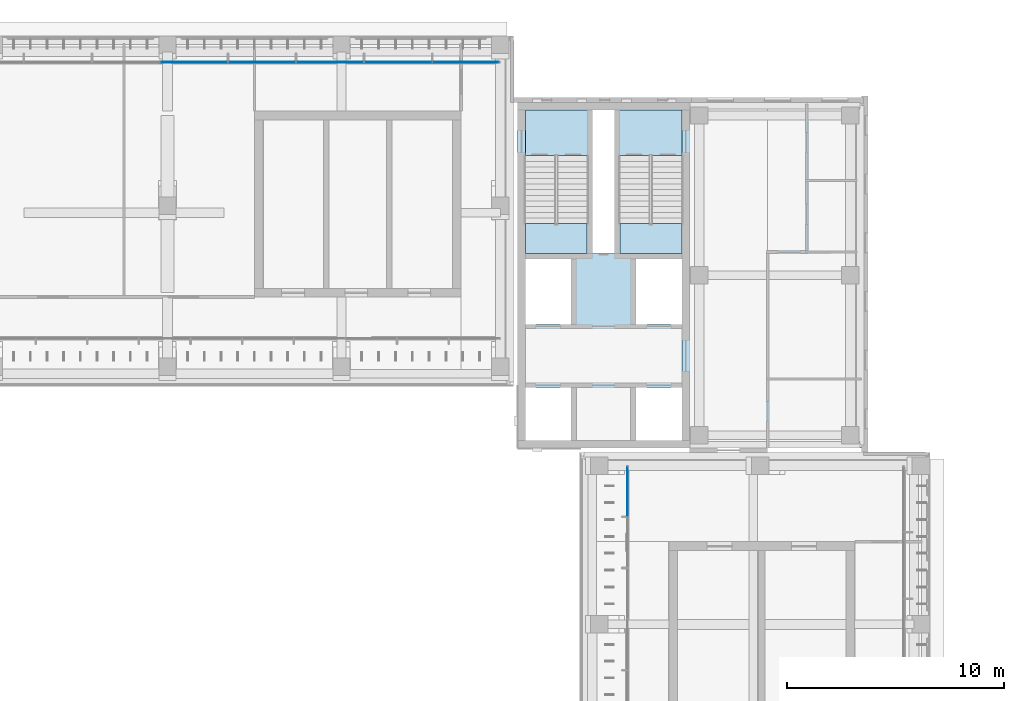
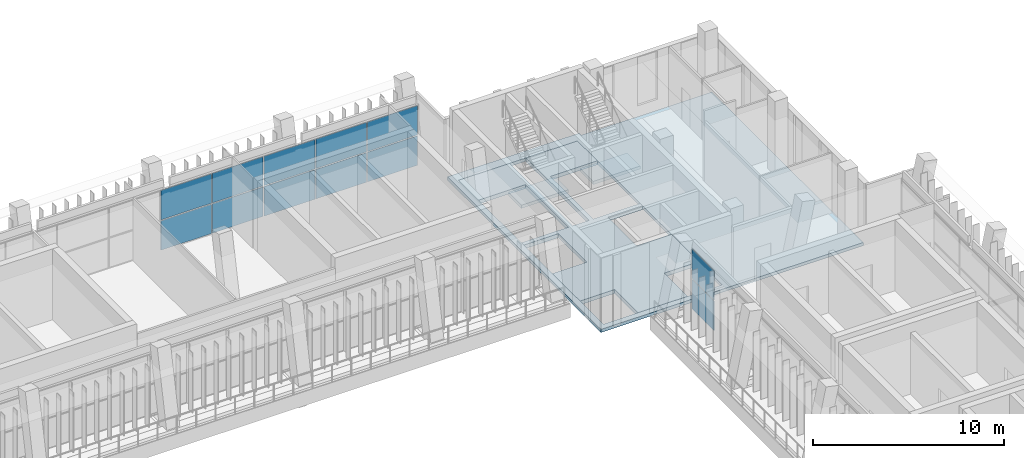
# One storey, part 54 of 89: 12 plates, 4 slabs, 4 elements without a shape of their own.
"""IFC4 building model written with IfcOpenShell, lengths in metres."""

from ifc_helpers import new_model, si_unit, direction, frame, origin, origin_2d, place, context, subcontext, project, spatial, polyline, rectangle, outline, extrude, material, layer, layer_set, type_object, element, aggregate, save


model = new_model("IFC4")

# Units and contexts
model_context = context("Model", 3, precision=1e-05, world=origin(), true_north=direction((0.0, 1.0)))
body_context = subcontext(model_context, "Body", "Model", "MODEL_VIEW")
ifc_project = project(units=[si_unit("LENGTHUNIT", "METRE"), si_unit("AREAUNIT", "SQUARE_METRE"), si_unit("VOLUMEUNIT", "CUBIC_METRE"), si_unit("PLANEANGLEUNIT", "RADIAN"), si_unit("MASSUNIT", "GRAM", prefix="KILO")], contexts=[model_context])

# Site, building, storey
site_placement = place(None, origin())
site = spatial("IfcSite", under=ifc_project, at=site_placement, CompositionType="ELEMENT")
building_placement = place(site_placement, origin())
building = spatial("IfcBuilding", under=site, at=building_placement, Name="Lantern Court Media Centre", CompositionType="ELEMENT")
storey_placement = place(building_placement, frame((0.0, 0.0, 14.39990234375)))
storey = spatial("IfcBuildingStorey", under=building, at=storey_placement, Name="L03", CompositionType="ELEMENT", Elevation=14.39990234375)

# Slab
ifc_material_1 = material(Name="Concrete C40", Category="concrete")
ifc_layer_1 = layer(ifc_material_1, 0.25)
ifc_layer_set_1 = layer_set([ifc_layer_1], Name="Concrete C40")
slab_type_1 = type_object("IfcSlabType", Name="Core floor slab 250", PredefinedType="FLOOR", material=ifc_layer_set_1)
slab_1_placement = place(storey_placement, frame((0.0, 0.0, -0.25)))
element("IfcSlab", 1, at=slab_1_placement, inside=storey, type_object=slab_type_1, Name="L03 NE core floor", PredefinedType="FLOOR", context=body_context, shape_type="SweptSolid", body=[
    extrude(outline(polyline([(87.64990234375, 101.800048828125), (87.64990234375, 98.89990234375), (85.550048828125, 98.89990234375), (85.550048828125, 96.449951171875), (82.550048828125, 96.449951171875), (82.550048828125, 98.89990234375), (80.449951171875, 98.89990234375), (80.449951171875, 101.800048828125), (82.550048828125, 101.800048828125), (82.550048828125, 104.800048828125), (80.449951171875, 104.800048828125), (80.449951171875, 105.05029296875), (83.299560546875, 105.05029296875), (83.299560546875, 109.549560546875), (80.449951171875, 109.549560546875), (80.449951171875, 111.64990234375), (83.550048828125, 111.64990234375), (83.550048828125, 105.050048828125), (84.550048828125, 105.050048828125), (84.550048828125, 111.64990234375), (87.64990234375, 111.64990234375), (87.64990234375, 109.549560546875), (84.80029296875, 109.549560546875), (84.80029296875, 105.05029296875), (87.64990234375, 105.05029296875), (87.64990234375, 104.800048828125), (85.550048828125, 104.800048828125), (85.550048828125, 101.800048828125), (87.64990234375, 101.800048828125)])), origin(), (0.0, 0.0, 1.0), 0.25),
])

# Curtain wall, plates
ifc_material_2 = material(Name="Curtain wall bay 2400")
curtain_wall_type_1 = type_object("IfcCurtainWallType", Name="Curtain wall bay 2400", PredefinedType="NOTDEFINED", material=ifc_material_2)
curtain_wall_1_placement = place(storey_placement, origin())
curtain_wall_1 = element("IfcCurtainWall", 2, at=curtain_wall_1_placement, inside=storey, type_object=curtain_wall_type_1, Name="Curtain wall E inner L03", PredefinedType="NOTDEFINED")
ifc_material_3 = material(Name="Low-iron double glazed unit glass", Category="glass")
ifc_layer_2 = layer(ifc_material_3, 0.02392578125)
ifc_layer_set_2 = layer_set([ifc_layer_2], Name="Low-iron double glazed unit glass")
plate_type_1 = type_object("IfcPlateType", Name="Curtain wall glazing unit 24", PredefinedType="CURTAIN_PANEL", material=ifc_layer_set_2)
plate_1_placement = place(storey_placement, frame((85.14990234375, 94.110595703125, 0.050048828125), z_axis=(0.0, 0.0, 1.0), x_axis=(0.0, 1.0, 0.0)))
plate_1 = element("IfcPlate", 3, at=plate_1_placement, type_object=plate_type_1, Name="CW2 panel 13.1", PredefinedType="CURTAIN_PANEL", context=body_context, shape_type="SweptSolid", body=[
    extrude(rectangle(XDim=2.27880859375, YDim=0.02392578125, at=origin_2d()), origin(), (0.0, 0.0, 1.0), 1.89990234375),
])
plate_2_placement = place(storey_placement, frame((85.14990234375, 94.110595703125, 2.000244140625), z_axis=(0.0, 0.0, 1.0), x_axis=(0.0, 1.0, 0.0)))
plate_2 = element("IfcPlate", 4, at=plate_2_placement, type_object=plate_type_1, Name="CW2 panel 13.2", PredefinedType="CURTAIN_PANEL", context=body_context, shape_type="SweptSolid", body=[
    extrude(rectangle(XDim=2.27880859375, YDim=0.02392578125, at=origin_2d()), origin(), (0.0, 0.0, 1.0), 1.89990234375),
])
aggregate(curtain_wall_1, [plate_1, plate_2])

ifc_material_4 = material(Name="Curtain wall bay 3000")
curtain_wall_type_2 = type_object("IfcCurtainWallType", Name="Curtain wall bay 3000", PredefinedType="NOTDEFINED", material=ifc_material_4)
curtain_wall_2_placement = place(storey_placement, origin())
curtain_wall_2 = element("IfcCurtainWall", 5, at=curtain_wall_2_placement, inside=storey, type_object=curtain_wall_type_2, Name="Curtain wall N outer L03", PredefinedType="NOTDEFINED")
ifc_layer_3 = layer(ifc_material_3, 0.028076171875)
ifc_layer_set_3 = layer_set([ifc_layer_3], Name="Low-iron double glazed unit glass")
plate_type_2 = type_object("IfcPlateType", Name="Curtain wall glazing unit 28", PredefinedType="CURTAIN_PANEL", material=ifc_layer_set_3)
plate_3_placement = place(storey_placement, frame((65.215087890625, 113.85009765625, 0.06005859375), z_axis=(0.0, 0.0, 1.0), x_axis=(1.0, 0.0, 0.0)))
plate_3 = element("IfcPlate", 6, at=plate_3_placement, type_object=plate_type_2, Name="CW1 panel 6.1", PredefinedType="CURTAIN_PANEL", context=body_context, shape_type="SweptSolid", body=[
    extrude(rectangle(XDim=3.070068359375, YDim=0.028076171875, at=origin_2d()), origin(), (0.0, 0.0, 1.0), 1.885009765625),
])
plate_4_placement = place(storey_placement, frame((65.215087890625, 113.85009765625, 2.0048828125), z_axis=(0.0, 0.0, 1.0), x_axis=(1.0, 0.0, 0.0)))
plate_4 = element("IfcPlate", 7, at=plate_4_placement, type_object=plate_type_2, Name="CW1 panel 6.2", PredefinedType="CURTAIN_PANEL", context=body_context, shape_type="SweptSolid", body=[
    extrude(rectangle(XDim=3.070068359375, YDim=0.028076171875, at=origin_2d()), origin(), (0.0, 0.0, 1.0), 1.885009765625),
])
plate_5_placement = place(storey_placement, frame((68.344970703125, 113.85009765625, 0.06005859375), z_axis=(0.0, 0.0, 1.0), x_axis=(1.0, 0.0, 0.0)))
plate_5 = element("IfcPlate", 8, at=plate_5_placement, type_object=plate_type_2, Name="CW1 panel 7.1", PredefinedType="CURTAIN_PANEL", context=body_context, shape_type="SweptSolid", body=[
    extrude(rectangle(XDim=3.070068359375, YDim=0.028076171875, at=origin_2d()), origin(), (0.0, 0.0, 1.0), 1.885009765625),
])
plate_6_placement = place(storey_placement, frame((68.344970703125, 113.85009765625, 2.0048828125), z_axis=(0.0, 0.0, 1.0), x_axis=(1.0, 0.0, 0.0)))
plate_6 = element("IfcPlate", 9, at=plate_6_placement, type_object=plate_type_2, Name="CW1 panel 7.2", PredefinedType="CURTAIN_PANEL", context=body_context, shape_type="SweptSolid", body=[
    extrude(rectangle(XDim=3.070068359375, YDim=0.028076171875, at=origin_2d()), origin(), (0.0, 0.0, 1.0), 1.885009765625),
])
plate_7_placement = place(storey_placement, frame((71.47509765625, 113.85009765625, 0.06005859375), z_axis=(0.0, 0.0, 1.0), x_axis=(1.0, 0.0, 0.0)))
plate_7 = element("IfcPlate", 10, at=plate_7_placement, type_object=plate_type_2, Name="CW1 panel 8.1", PredefinedType="CURTAIN_PANEL", context=body_context, shape_type="SweptSolid", body=[
    extrude(rectangle(XDim=3.070068359375, YDim=0.028076171875, at=origin_2d()), origin(), (0.0, 0.0, 1.0), 1.885009765625),
])
plate_8_placement = place(storey_placement, frame((71.47509765625, 113.85009765625, 2.0048828125), z_axis=(0.0, 0.0, 1.0), x_axis=(1.0, 0.0, 0.0)))
plate_8 = element("IfcPlate", 11, at=plate_8_placement, type_object=plate_type_2, Name="CW1 panel 8.2", PredefinedType="CURTAIN_PANEL", context=body_context, shape_type="SweptSolid", body=[
    extrude(rectangle(XDim=3.070068359375, YDim=0.028076171875, at=origin_2d()), origin(), (0.0, 0.0, 1.0), 1.885009765625),
])
plate_9_placement = place(storey_placement, frame((74.60498046875, 113.85009765625, 0.06005859375), z_axis=(0.0, 0.0, 1.0), x_axis=(1.0, 0.0, 0.0)))
plate_9 = element("IfcPlate", 12, at=plate_9_placement, type_object=plate_type_2, Name="CW1 panel 9.1", PredefinedType="CURTAIN_PANEL", context=body_context, shape_type="SweptSolid", body=[
    extrude(rectangle(XDim=3.070068359375, YDim=0.028076171875, at=origin_2d()), origin(), (0.0, 0.0, 1.0), 1.885009765625),
])
plate_10_placement = place(storey_placement, frame((74.60498046875, 113.85009765625, 2.0048828125), z_axis=(0.0, 0.0, 1.0), x_axis=(1.0, 0.0, 0.0)))
plate_10 = element("IfcPlate", 13, at=plate_10_placement, type_object=plate_type_2, Name="CW1 panel 9.2", PredefinedType="CURTAIN_PANEL", context=body_context, shape_type="SweptSolid", body=[
    extrude(rectangle(XDim=3.070068359375, YDim=0.028076171875, at=origin_2d()), origin(), (0.0, 0.0, 1.0), 1.885009765625),
])
plate_11_placement = place(storey_placement, frame((77.719970703125, 113.85009765625, 0.06005859375), z_axis=(0.0, 0.0, 1.0), x_axis=(1.0, 0.0, 0.0)))
plate_11 = element("IfcPlate", 14, at=plate_11_placement, type_object=plate_type_2, Name="CW1 panel 10.1", PredefinedType="CURTAIN_PANEL", context=body_context, shape_type="SweptSolid", body=[
    extrude(rectangle(XDim=3.0400390625, YDim=0.028076171875, at=origin_2d()), origin(), (0.0, 0.0, 1.0), 1.885009765625),
])
plate_12_placement = place(storey_placement, frame((77.719970703125, 113.85009765625, 2.0048828125), z_axis=(0.0, 0.0, 1.0), x_axis=(1.0, 0.0, 0.0)))
plate_12 = element("IfcPlate", 15, at=plate_12_placement, type_object=plate_type_2, Name="CW1 panel 10.2", PredefinedType="CURTAIN_PANEL", context=body_context, shape_type="SweptSolid", body=[
    extrude(rectangle(XDim=3.0400390625, YDim=0.028076171875, at=origin_2d()), origin(), (0.0, 0.0, 1.0), 1.885009765625),
])
aggregate(curtain_wall_2, [plate_3, plate_4, plate_5, plate_6, plate_7, plate_8, plate_9, plate_10, plate_11, plate_12])

# Slab
ifc_material_5 = material(Name="Concrete C35", Category="concrete")
ifc_layer_4 = layer(ifc_material_5, 0.199951171875)
ifc_layer_set_4 = layer_set([ifc_layer_4], Name="Concrete C35")
slab_type_2 = type_object("IfcSlabType", Name="RC FLOOR SLAB 200", PredefinedType="FLOOR", material=ifc_layer_set_4)
slab_2_placement = place(storey_placement, frame((0.0, 0.0, -0.199951171875)))
element("IfcSlab", 16, at=slab_2_placement, inside=storey, type_object=slab_type_2, Name="SL-NE-L03", PredefinedType="FLOOR", context=body_context, shape_type="SweptSolid", body=[
    extrude(outline(polyline([(80.10009765625, 112.0), (80.10009765625, 112.219970703125), (88.10009765625, 112.219970703125), (88.10009765625, 112.0), (96.0, 112.0), (96.0, 96.10009765625), (80.10009765625, 96.10009765625), (80.10009765625, 112.0)]), holes=[polyline([(80.449951171875, 111.64990234375), (80.449951171875, 96.449951171875), (87.64990234375, 96.449951171875), (87.64990234375, 111.64990234375), (80.449951171875, 111.64990234375)])]), origin(), (0.0, 0.0, 1.0), 0.199951171875),
])

# Stair, slab
stair_type = type_object("IfcStairType", Name="Exit stair 1350", PredefinedType="HALF_TURN_STAIR", material=ifc_material_1)
stair_1_placement = place(storey_placement, origin())
stair_1 = element("IfcStair", 17, at=stair_1_placement, inside=storey, type_object=stair_type, Name="L03 NE exit stair A", PredefinedType="HALF_TURN_STAIR")
ifc_layer_5 = layer(ifc_material_1, 0.199951171875)
ifc_layer_set_5 = layer_set([ifc_layer_5], Name="Concrete C40")
slab_type_3 = type_object("IfcSlabType", Name="Stair landing RC 200", PredefinedType="LANDING", material=ifc_layer_set_5)
slab_3_placement = place(storey_placement, frame((0.0, 0.0, 2.2001953125)))
slab_3 = element("IfcSlab", 18, at=slab_3_placement, type_object=slab_type_3, Name="ST-NEA landing 1", PredefinedType="LANDING", context=body_context, shape_type="SweptSolid", body=[
    extrude(outline(polyline([(84.800048828125, 106.429931640625), (84.800048828125, 105.050048828125), (87.64990234375, 105.050048828125), (87.64990234375, 106.429931640625), (84.800048828125, 106.429931640625)])), origin(), (0.0, 0.0, 1.0), 0.199951171875),
])
aggregate(stair_1, [slab_3])

stair_2_placement = place(storey_placement, origin())
stair_2 = element("IfcStair", 19, at=stair_2_placement, inside=storey, type_object=stair_type, Name="L03 NE exit stair B", PredefinedType="HALF_TURN_STAIR")
slab_4_placement = place(storey_placement, frame((0.0, 0.0, 2.2001953125)))
slab_4 = element("IfcSlab", 20, at=slab_4_placement, type_object=slab_type_3, Name="ST-NEB landing 1", PredefinedType="LANDING", context=body_context, shape_type="SweptSolid", body=[
    extrude(outline(polyline([(80.449951171875, 106.429931640625), (80.449951171875, 105.050048828125), (83.300048828125, 105.050048828125), (83.300048828125, 106.429931640625), (80.449951171875, 106.429931640625)])), origin(), (0.0, 0.0, 1.0), 0.199951171875),
])
aggregate(stair_2, [slab_4])

save(model, "model.ifc")
